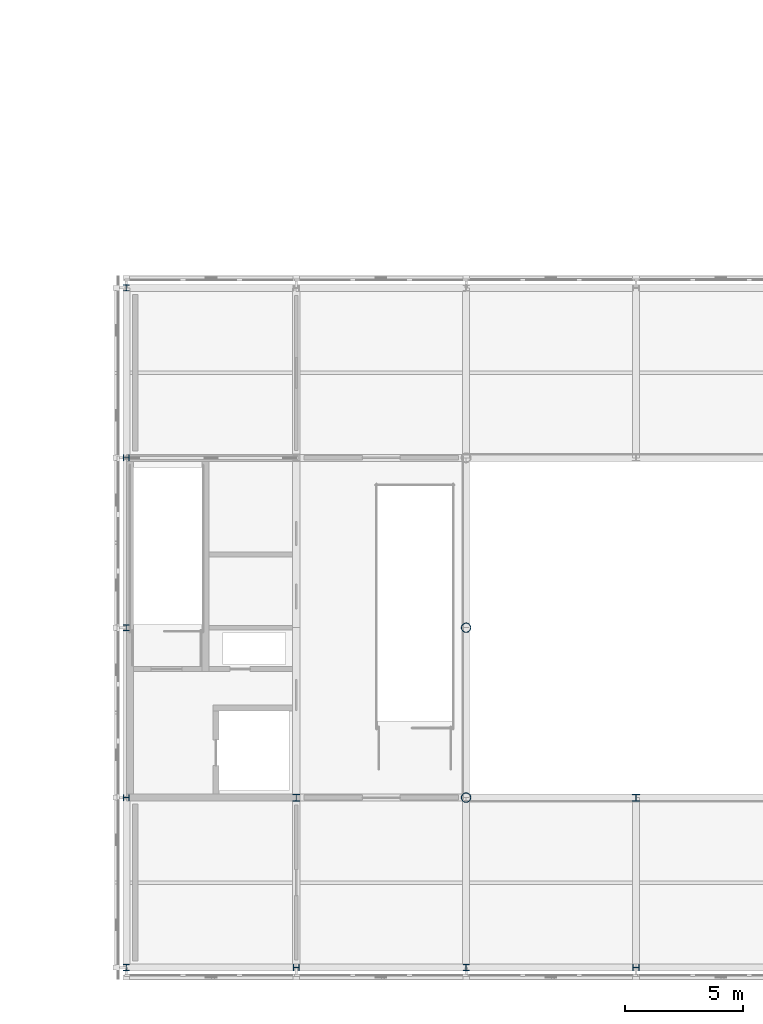
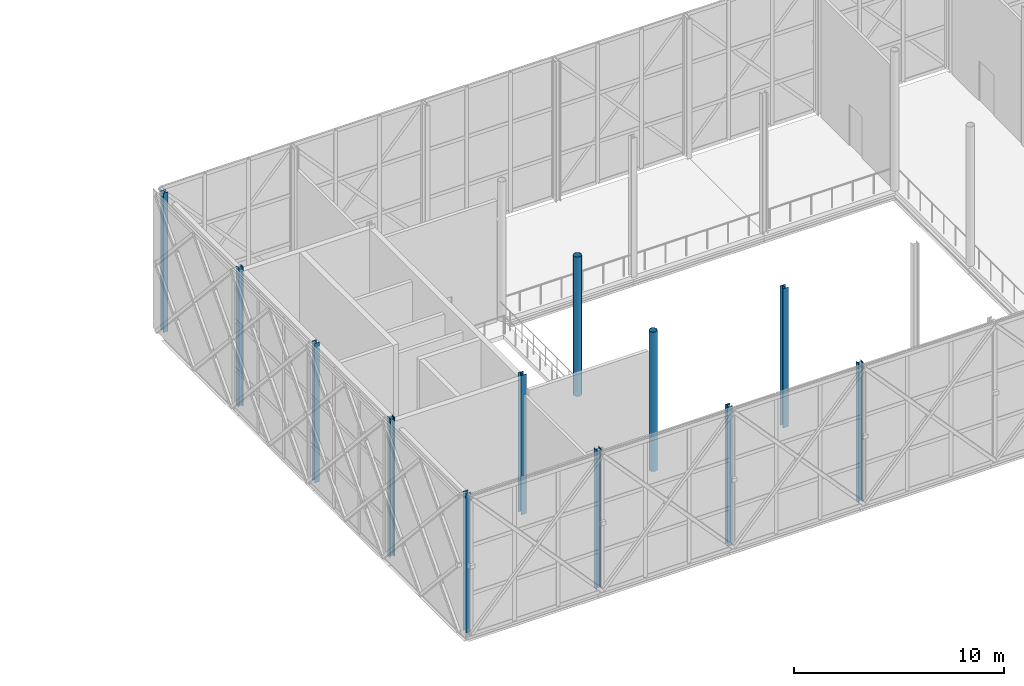
# One storey, part 1 of 76: 12 columns.
"""IFC4 building model written with IfcOpenShell, lengths in metres."""

from ifc_helpers import new_model, si_unit, direction, frame, origin, origin_2d, place, context, subcontext, project, spatial, hollow_circle, i_section, extrude, material, material_profile, profile_set, type_object, element, save


model = new_model("IFC4")

# Units and contexts
model_context = context("Model", 3, precision=1e-05, world=origin(), true_north=direction((0.0, 1.0)))
body_context = subcontext(model_context, "Body", "Model", "MODEL_VIEW")
ifc_project = project(units=[si_unit("LENGTHUNIT", "METRE"), si_unit("AREAUNIT", "SQUARE_METRE"), si_unit("VOLUMEUNIT", "CUBIC_METRE"), si_unit("PLANEANGLEUNIT", "RADIAN"), si_unit("MASSUNIT", "GRAM", prefix="KILO")], contexts=[model_context])

# Site, building, storey
site_placement = place(None, origin())
site = spatial("IfcSite", under=ifc_project, at=site_placement, CompositionType="ELEMENT")
building_placement = place(site_placement, origin())
building = spatial("IfcBuilding", under=site, at=building_placement, Name="Zlatovets Crest Museum", CompositionType="ELEMENT")
storey_placement = place(building_placement, frame((0.0, 0.0, 17.10009765625)))
storey = spatial("IfcBuildingStorey", under=building, at=storey_placement, Name="L04", CompositionType="ELEMENT", Elevation=17.10009765625)

# Columns
ifc_material = material(Name="Structural steel S355J2", Category="steel")
ifc_material_profile_1 = material_profile(ifc_material, i_section(OverallWidth=0.300048828125, OverallDepth=0.300048828125, WebThickness=0.010986328125, FlangeThickness=0.01904296875, FilletRadius=0.027099609375, at=origin_2d()), Name="HEB 300")
ifc_profile_set_1 = profile_set([ifc_material_profile_1], Name="Structural steel S355J2")
column_type_1 = type_object("IfcColumnType", Name="Col_C-09", PredefinedType="COLUMN", material=ifc_profile_set_1)
for number, where, z_axis, x_axis, name in (
    (1, (64.800048828125, 7.199951171875, 0.0), (0.0, 0.0, 1.0), (1.0, 0.0, 0.0), "V2 L04 Column (64.8, 7.2)"),
    (2, (79.199951171875, 7.199951171875, 0.0), (0.0, 0.0, 1.0), (1.0, 0.0, 0.0), "V2 L04 Column (79.2, 7.2)"),
):
    element("IfcColumn", number, at=place(storey_placement, frame(where, z_axis=z_axis, x_axis=x_axis)), inside=storey, type_object=column_type_1, Name=name, PredefinedType="COLUMN", context=body_context, shape_type="SweptSolid", body=[
        extrude(i_section(OverallWidth=0.300048828125, OverallDepth=0.300048828125, WebThickness=0.010986328125, FlangeThickness=0.01904296875, FilletRadius=0.027099609375, at=origin_2d()), origin(), (0.0, 0.0, 1.0), 8.099853515625),
    ])
ifc_material_profile_2 = material_profile(ifc_material, i_section(OverallWidth=0.260009765625, OverallDepth=0.260009765625, WebThickness=0.010009765625, FlangeThickness=0.017578125, FilletRadius=0.02392578125, at=origin_2d()), Name="HEB 260")
ifc_profile_set_2 = profile_set([ifc_material_profile_2], Name="Structural steel S355J2")
column_type_2 = type_object("IfcColumnType", Name="Col_C-10", PredefinedType="COLUMN", material=ifc_profile_set_2)
for number, where, z_axis, x_axis, name in (
    (3, (57.60009765625, 0.0, 0.0), (0.0, 0.0, 1.0), (1.0, 0.0, 0.0), "V2 L04 Column (57.6, 0.0)"),
    (4, (57.60009765625, 7.199951171875, 0.0), (0.0, 0.0, 1.0), (0.0, 1.0, 0.0), "V2 L04 Column (57.6, 7.2)"),
    (5, (57.60009765625, 14.39990234375, 0.0), (0.0, 0.0, 1.0), (1.0, 0.0, 0.0), "V2 L04 Column (57.6, 14.4)"),
    (6, (57.60009765625, 21.60009765625, 0.0), (0.0, 0.0, 1.0), (0.0, 1.0, 0.0), "V2 L04 Column (57.6, 21.6)"),
    (7, (57.60009765625, 28.800048828125, 0.0), (0.0, 0.0, 1.0), (1.0, 0.0, 0.0), "V2 L04 Column (57.6, 28.8)"),
    (8, (64.800048828125, 0.0, 0.0), (0.0, 0.0, 1.0), (0.0, 1.0, 0.0), "V2 L04 Column (64.8, 0.0)"),
    (9, (72.0, 0.0, 0.0), (0.0, 0.0, 1.0), (1.0, 0.0, 0.0), "V2 L04 Column (72.0, 0.0)"),
    (10, (79.199951171875, 0.0, 0.0), (0.0, 0.0, 1.0), (0.0, 1.0, 0.0), "V2 L04 Column (79.2, 0.0)"),
):
    element("IfcColumn", number, at=place(storey_placement, frame(where, z_axis=z_axis, x_axis=x_axis)), inside=storey, type_object=column_type_2, Name=name, PredefinedType="COLUMN", context=body_context, shape_type="SweptSolid", body=[
        extrude(i_section(OverallWidth=0.260009765625, OverallDepth=0.260009765625, WebThickness=0.010009765625, FlangeThickness=0.017578125, FilletRadius=0.02392578125, at=origin_2d()), origin(), (0.0, 0.0, 1.0), 8.099853515625),
    ])
ifc_material_profile_3 = material_profile(ifc_material, hollow_circle(Radius=0.203125, WallThickness=0.01611328125, at=origin_2d()), Name="CHS 406.4x16.0")
ifc_profile_set_3 = profile_set([ifc_material_profile_3], Name="Structural steel S355J2")
column_type_3 = type_object("IfcColumnType", Name="Col_C-12", PredefinedType="COLUMN", material=ifc_profile_set_3)
for number, where, z_axis, x_axis, name in (
    (11, (72.0, 7.199951171875, 0.0), (0.0, 0.0, 1.0), (0.0, 1.0, 0.0), "V2 L04 Column (72.0, 7.2)"),
    (12, (72.0, 14.39990234375, 0.0), (0.0, 0.0, 1.0), (1.0, 0.0, 0.0), "V2 L04 Column (72.0, 14.4)"),
):
    element("IfcColumn", number, at=place(storey_placement, frame(where, z_axis=z_axis, x_axis=x_axis)), inside=storey, type_object=column_type_3, Name=name, PredefinedType="COLUMN", context=body_context, shape_type="SweptSolid", body=[
        extrude(hollow_circle(Radius=0.203125, WallThickness=0.01611328125, at=origin_2d()), origin(), (0.0, 0.0, 1.0), 8.099853515625),
    ])

save(model, "model.ifc")
